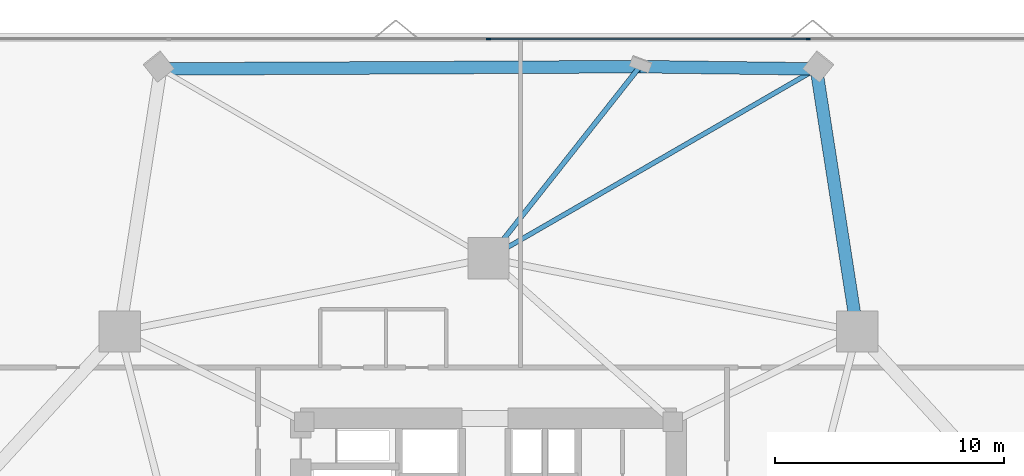
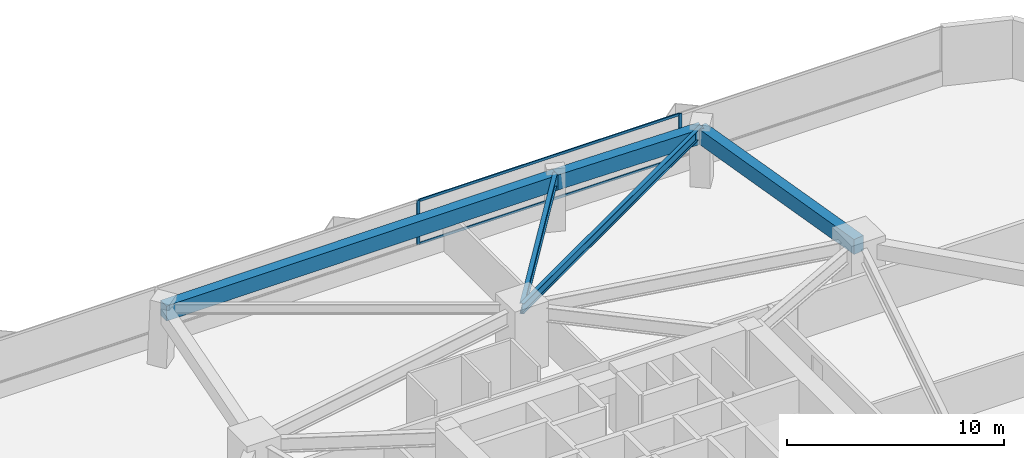
# One storey, part 13 of 20: 5 beams, 4 members, 1 element without a shape of its own.
"""IFC4 building model written with IfcOpenShell, lengths in metres."""

from ifc_helpers import new_model, si_unit, direction, frame, origin, origin_2d, place, context, subcontext, project, spatial, rectangle, i_section, extrude, material, layer, layer_set, material_profile, profile_set, type_object, element, aggregate, save


model = new_model("IFC4")

# Units and contexts
model_context = context("Model", 3, precision=1e-05, world=origin(), true_north=direction((0.0, 1.0)))
body_context = subcontext(model_context, "Body", "Model", "MODEL_VIEW")
ifc_project = project(units=[si_unit("LENGTHUNIT", "METRE"), si_unit("AREAUNIT", "SQUARE_METRE"), si_unit("VOLUMEUNIT", "CUBIC_METRE"), si_unit("PLANEANGLEUNIT", "RADIAN"), si_unit("MASSUNIT", "GRAM", prefix="KILO")], contexts=[model_context])

# Site, building, storey
site_placement = place(None, origin())
site = spatial("IfcSite", under=ifc_project, at=site_placement, CompositionType="ELEMENT")
building_placement = place(site_placement, origin())
building = spatial("IfcBuilding", under=site, at=building_placement, Name="Talyreon Biosciences Tower", CompositionType="ELEMENT")
storey_placement = place(building_placement, frame((0.0, 0.0, 62.949951171875)))
storey = spatial("IfcBuildingStorey", under=building, at=storey_placement, Name="L16", CompositionType="ELEMENT", Elevation=62.949951171875)

# Curtain wall, members
ifc_material_1 = material(Name="Thermally broken aluminium and low-E glazing", Category="aluminium")
ifc_layer = layer(ifc_material_1, 0.195068359375)
ifc_layer_set = layer_set([ifc_layer], Name="Thermally broken aluminium and low-E glazing")
curtain_wall_type = type_object("IfcCurtainWallType", Name="CurtainWall_Zone1WetLab", PredefinedType="NOTDEFINED", material=ifc_layer_set)
curtain_wall_placement = place(storey_placement, origin())
curtain_wall = element("IfcCurtainWall", 1, at=curtain_wall_placement, inside=storey, type_object=curtain_wall_type, Name="L16 Unitised Curtain Wall FCW-L16-04", PredefinedType="NOTDEFINED")
ifc_material_2 = material(Name="Anodised thermally broken aluminium", Category="aluminium")
ifc_material_profile_1 = material_profile(ifc_material_2, rectangle(XDim=0.06494140625, YDim=0.179931640625, at=origin_2d()), Name="ALUM MULLION 65x180")
ifc_profile_set_1 = profile_set([ifc_material_profile_1], Name="Anodised thermally broken aluminium")
member_type_1 = type_object("IfcMemberType", Name="CWMullion_65x180", PredefinedType="MULLION", material=ifc_profile_set_1)
member_1_placement = place(storey_placement, frame((66.0, 91.373779296875, 0.81005859375), z_axis=(0.0, 0.0, 1.0), x_axis=(0.0, 1.0, 0.0)))
member_1 = element("IfcMember", 2, at=member_1_placement, type_object=member_type_1, Name="CW2 mullion 3", PredefinedType="MULLION", context=body_context, shape_type="SweptSolid", body=[
    extrude(rectangle(XDim=0.06494140625, YDim=0.179931640625, at=origin_2d()), origin(), (0.0, 0.0, 1.0), 2.489990234375),
])
member_2_placement = place(storey_placement, frame((79.957763671875, 91.373779296875, 0.81005859375), z_axis=(0.0, 0.0, 1.0), x_axis=(0.0, 1.0, 0.0)))
member_2 = element("IfcMember", 3, at=member_2_placement, type_object=member_type_1, Name="CW2 mullion 4", PredefinedType="MULLION", context=body_context, shape_type="SweptSolid", body=[
    extrude(rectangle(XDim=0.06494140625, YDim=0.179931640625, at=origin_2d()), origin(), (0.0, 0.0, 1.0), 2.489990234375),
])
ifc_material_profile_2 = material_profile(ifc_material_2, rectangle(XDim=0.06494140625, YDim=0.139892578125, at=origin_2d()), Name="ALUM TRANSOM 65x140")
ifc_profile_set_2 = profile_set([ifc_material_profile_2], Name="Anodised thermally broken aluminium")
member_type_2 = type_object("IfcMemberType", Name="CWTransom_65x140", PredefinedType="USERDEFINED", material=ifc_profile_set_2)
member_3_placement = place(storey_placement, frame((66.032470703125, 91.373779296875, 0.842529296875), z_axis=(1.0, 0.0, 0.0), x_axis=(0.0, 1.0, 0.0)))
member_3 = element("IfcMember", 4, at=member_3_placement, type_object=member_type_2, Name="CW2 transom 3.1", ObjectType="TRANSOM", PredefinedType="USERDEFINED", context=body_context, shape_type="SweptSolid", body=[
    extrude(rectangle(XDim=0.06494140625, YDim=0.139892578125, at=origin_2d()), origin(), (0.0, 0.0, 1.0), 13.892822265625),
])
member_4_placement = place(storey_placement, frame((66.032470703125, 91.373779296875, 3.267578125), z_axis=(1.0, 0.0, 0.0), x_axis=(0.0, 1.0, 0.0)))
member_4 = element("IfcMember", 5, at=member_4_placement, type_object=member_type_2, Name="CW2 transom 3.2", ObjectType="TRANSOM", PredefinedType="USERDEFINED", context=body_context, shape_type="SweptSolid", body=[
    extrude(rectangle(XDim=0.06494140625, YDim=0.139892578125, at=origin_2d()), origin(), (0.0, 0.0, 1.0), 13.892822265625),
])
aggregate(curtain_wall, [member_1, member_2, member_3, member_4])

# Beams
ifc_material_3 = material(Name="Precast concrete C45/55", Category="concrete")
ifc_material_profile_3 = material_profile(ifc_material_3, rectangle(XDim=0.550048828125, YDim=0.85009765625, at=origin_2d()), Name="RCB 550x850")
ifc_profile_set_3 = profile_set([ifc_material_profile_3], Name="Precast concrete C45/55")
beam_type_1 = type_object("IfcBeamType", Name="ExpressedSpandrel_550x850", PredefinedType="SPANDREL", material=ifc_profile_set_3)
beam_1_placement = place(storey_placement, frame((82.102294921875, 78.5986328125, 2.875), z_axis=(-0.153660878012, 0.988123643361, 0.0), x_axis=(-0.988123643361, -0.153660878012, 0.0)))
element("IfcBeam", 6, at=beam_1_placement, inside=storey, type_object=beam_type_1, Name="L16 Expressed Horizontal Concrete Spandrel 05", PredefinedType="SPANDREL", context=body_context, shape_type="SweptSolid", body=[
    extrude(rectangle(XDim=0.550048828125, YDim=0.85009765625, at=origin_2d()), origin(), (0.0, 0.0, 1.0), 11.598388671875),
])
beam_2_placement = place(storey_placement, frame((80.320068359375, 90.059326171875, 2.875), z_axis=(-0.999916164542, 0.012948509096, 0.0), x_axis=(-0.012948509096, -0.999916164542, 0.0)))
element("IfcBeam", 7, at=beam_2_placement, inside=storey, type_object=beam_type_1, Name="L16 Expressed Horizontal Concrete Spandrel 06", PredefinedType="SPANDREL", context=body_context, shape_type="SweptSolid", body=[
    extrude(rectangle(XDim=0.550048828125, YDim=0.85009765625, at=origin_2d()), origin(), (0.0, 0.0, 1.0), 7.711669921875),
])
beam_3_placement = place(storey_placement, frame((72.609130859375, 90.1591796875, 2.875), z_axis=(-0.999988618904, -0.004770960329, 0.0), x_axis=(0.004770960329, -0.999988618904, 0.0)))
element("IfcBeam", 8, at=beam_3_placement, inside=storey, type_object=beam_type_1, Name="L16 Expressed Horizontal Concrete Spandrel 07", PredefinedType="SPANDREL", context=body_context, shape_type="SweptSolid", body=[
    extrude(rectangle(XDim=0.550048828125, YDim=0.85009765625, at=origin_2d()), origin(), (0.0, 0.0, 1.0), 20.929443359375),
])
ifc_material_4 = material(Name="Steel SM355", Category="steel")
ifc_material_profile_4 = material_profile(ifc_material_4, i_section(OverallWidth=0.2099609375, OverallDepth=0.550048828125, WebThickness=0.010986328125, FlangeThickness=0.01708984375, FilletRadius=0.02392578125, at=origin_2d()), Name="IPE550")
ifc_profile_set_4 = profile_set([ifc_material_profile_4], Name="Steel SM355")
beam_type_2 = type_object("IfcBeamType", Name="SteelJoist_IPE550", PredefinedType="JOIST", material=ifc_profile_set_4)
beam_4_placement = place(storey_placement, frame((66.0, 81.788818359375, 3.025146484375), z_axis=(0.865951749896, 0.500127550583, 0.0), x_axis=(-0.500127550583, 0.865951749896, 0.0)))
element("IfcBeam", 9, at=beam_4_placement, inside=storey, type_object=beam_type_2, Name="L16 Radial Composite Floor Joist PC-N1", PredefinedType="JOIST", context=body_context, shape_type="SweptSolid", body=[
    extrude(i_section(OverallWidth=0.2099609375, OverallDepth=0.550048828125, WebThickness=0.010986328125, FlangeThickness=0.01708984375, FilletRadius=0.02392578125, at=origin_2d()), origin(), (0.0, 0.0, 1.0), 16.536865234375),
])
ifc_material_profile_5 = material_profile(ifc_material_4, i_section(OverallWidth=0.219970703125, OverallDepth=0.60009765625, WebThickness=0.011962890625, FlangeThickness=0.01904296875, FilletRadius=0.02392578125, at=origin_2d()), Name="IPE600")
ifc_profile_set_5 = profile_set([ifc_material_profile_5], Name="Steel SM355")
beam_type_3 = type_object("IfcBeamType", Name="SteelJoist_IPE600", PredefinedType="JOIST", material=ifc_profile_set_5)
beam_5_placement = place(storey_placement, frame((66.0, 81.788818359375, 3.0), z_axis=(0.619699211339, 0.78483940234, 0.0), x_axis=(-0.78483940234, 0.619699211339, 0.0)))
element("IfcBeam", 10, at=beam_5_placement, inside=storey, type_object=beam_type_3, Name="L16 Radial Composite Floor Joist PL-N", PredefinedType="JOIST", context=body_context, shape_type="SweptSolid", body=[
    extrude(i_section(OverallWidth=0.219970703125, OverallDepth=0.60009765625, WebThickness=0.011962890625, FlangeThickness=0.01904296875, FilletRadius=0.02392578125, at=origin_2d()), origin(), (0.0, 0.0, 1.0), 10.6650390625),
])

save(model, "model.ifc")
